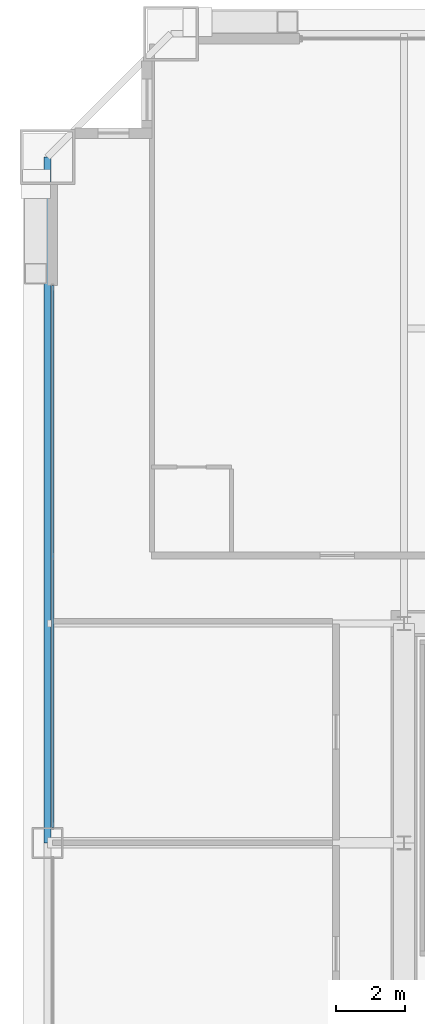
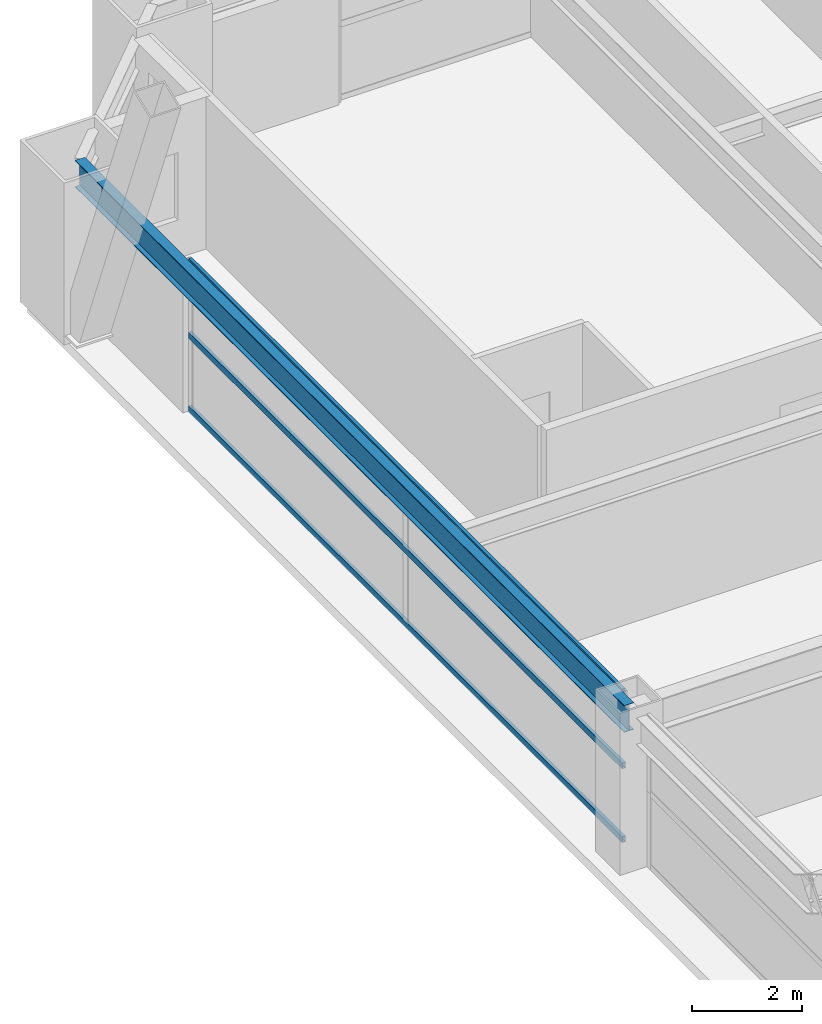
# One storey, part 23 of 41: 3 members, 1 beam, 1 element without a shape of its own.
"""IFC4 building model written with IfcOpenShell, lengths in metres."""

from ifc_helpers import new_model, si_unit, direction, frame, origin, origin_2d, place, context, subcontext, project, spatial, hollow_rectangle, i_section, extrude, source, transform, mapped, material, layer, layer_set, material_profile, profile_set, type_object, element, aggregate, save


model = new_model("IFC4")

# Units and contexts
model_context = context("Model", 3, precision=1e-05, world=origin(), true_north=direction((0.0, 1.0)))
body_context = subcontext(model_context, "Body", "Model", "MODEL_VIEW")
ifc_project = project(units=[si_unit("LENGTHUNIT", "METRE"), si_unit("AREAUNIT", "SQUARE_METRE"), si_unit("VOLUMEUNIT", "CUBIC_METRE"), si_unit("PLANEANGLEUNIT", "RADIAN"), si_unit("MASSUNIT", "GRAM", prefix="KILO"), si_unit("THERMODYNAMICTEMPERATUREUNIT", "KELVIN"), si_unit("POWERUNIT", "WATT")], contexts=[model_context])

# Site, building, storey
site_placement = place(None, origin())
site = spatial("IfcSite", under=ifc_project, at=site_placement, CompositionType="ELEMENT")
building_placement = place(site_placement, origin())
building = spatial("IfcBuilding", under=site, at=building_placement, Name="Yuzanri Waterfront Tower", CompositionType="ELEMENT")
storey_placement = place(building_placement, frame((0.0, 0.0, 152.39990234375)))
storey = spatial("IfcBuildingStorey", under=building, at=storey_placement, Name="L40", CompositionType="ELEMENT", Elevation=152.39990234375)

# Beam
ifc_material_1 = material(Name="Steel Q355B", Category="steel")
ifc_material_profile_1 = material_profile(ifc_material_1, i_section(OverallWidth=0.199951171875, OverallDepth=0.60009765625, WebThickness=0.010986328125, FlangeThickness=0.01708984375, at=origin_2d()), Name="HN 600x200x11x17")
ifc_profile_set_1 = profile_set([ifc_material_profile_1], Name="Steel Q355B")
beam_type = type_object("IfcBeamType", Name="Perimeter Spandrel Q355B HN 600x200", PredefinedType="SPANDREL", material=ifc_profile_set_1)
shared_shape_1 = source(origin(), body_context, "Body", "SweptSolid", [
    extrude(i_section(OverallWidth=0.199951171875, OverallDepth=0.60009765625, WebThickness=0.010986328125, FlangeThickness=0.01708984375, at=origin_2d()), origin(), (0.0, 0.0, 1.0), 20.0),
])
beam_placement = place(storey_placement, frame((13.39990234375, 45.800048828125, 3.080078125), z_axis=(0.0, -1.0, 0.0), x_axis=(1.0, 0.0, 0.0)))
element("IfcBeam", 1, at=beam_placement, inside=storey, type_object=beam_type, Name="L40 Perimeter Spandrel W3-W2", PredefinedType="SPANDREL", context=body_context, shape_type="MappedRepresentation", body=[
    mapped(shared_shape_1, transform((0.0, 0.0, 0.0), scale=1.0)),
])

# Curtain wall, members
ifc_material_2 = material(Name="Anodized Architectural Bronze", Category="metal")
ifc_layer = layer(ifc_material_2, 0.159912109375)
ifc_layer_set = layer_set([ifc_layer], Name="Anodized Architectural Bronze")
curtain_wall_type = type_object("IfcCurtainWallType", Name="Anodized Bronze Hotel Upper-Tier Solar-Control Unitized Curtain Wall 7800", PredefinedType="NOTDEFINED", material=ifc_layer_set)
curtain_wall_placement = place(storey_placement, origin())
curtain_wall = element("IfcCurtainWall", 2, at=curtain_wall_placement, inside=storey, type_object=curtain_wall_type, Name="L40 Curtain Wall CW-L40-WR", PredefinedType="NOTDEFINED")
ifc_material_3 = material(Name="Anodized Architectural Bronze", Category="metal")
ifc_material_profile_2 = material_profile(ifc_material_3, hollow_rectangle(XDim=0.070068359375, YDim=0.135009765625, WallThickness=0.00341796875, at=origin_2d()), Name="CWT 70x135")
ifc_profile_set_2 = profile_set([ifc_material_profile_2], Name="Anodized Architectural Bronze")
member_type = type_object("IfcMemberType", Name="Anodized Bronze Standard Curtain-Wall Transom 70x135", PredefinedType="USERDEFINED", material=ifc_profile_set_2)
shared_shape_2 = source(origin(), body_context, "Body", "SweptSolid", [
    extrude(hollow_rectangle(XDim=0.070068359375, YDim=0.135009765625, WallThickness=0.00341796875, at=origin_2d()), origin(), (0.0, 0.0, 1.0), 15.800048828125),
])
member_1_placement = place(storey_placement, frame((13.550048828125, 26.25, 0.050048828125), z_axis=(0.0, 1.0, 0.0), x_axis=(-1.0, 0.0, 0.0)))
member_1 = element("IfcMember", 3, at=member_1_placement, type_object=member_type, Name="CW-L40-WR Transom 1", ObjectType="TRANSOM", PredefinedType="USERDEFINED", context=body_context, shape_type="MappedRepresentation", body=[
    mapped(shared_shape_2, transform((0.0, 0.0, 0.0), scale=1.0)),
])
member_2_placement = place(storey_placement, frame((13.550048828125, 26.25, 1.690185546875), z_axis=(0.0, 1.0, 0.0), x_axis=(-1.0, 0.0, 0.0)))
member_2 = element("IfcMember", 4, at=member_2_placement, type_object=member_type, Name="CW-L40-WR Transom 2", ObjectType="TRANSOM", PredefinedType="USERDEFINED", context=body_context, shape_type="MappedRepresentation", body=[
    mapped(shared_shape_2, transform((0.0, 0.0, 0.0), scale=1.0)),
])
member_3_placement = place(storey_placement, frame((13.550048828125, 26.25, 3.330078125), z_axis=(0.0, 1.0, 0.0), x_axis=(-1.0, 0.0, 0.0)))
member_3 = element("IfcMember", 5, at=member_3_placement, type_object=member_type, Name="CW-L40-WR Transom 3", ObjectType="TRANSOM", PredefinedType="USERDEFINED", context=body_context, shape_type="MappedRepresentation", body=[
    mapped(shared_shape_2, transform((0.0, 0.0, 0.0), scale=1.0)),
])
aggregate(curtain_wall, [member_1, member_2, member_3])

save(model, "model.ifc")
